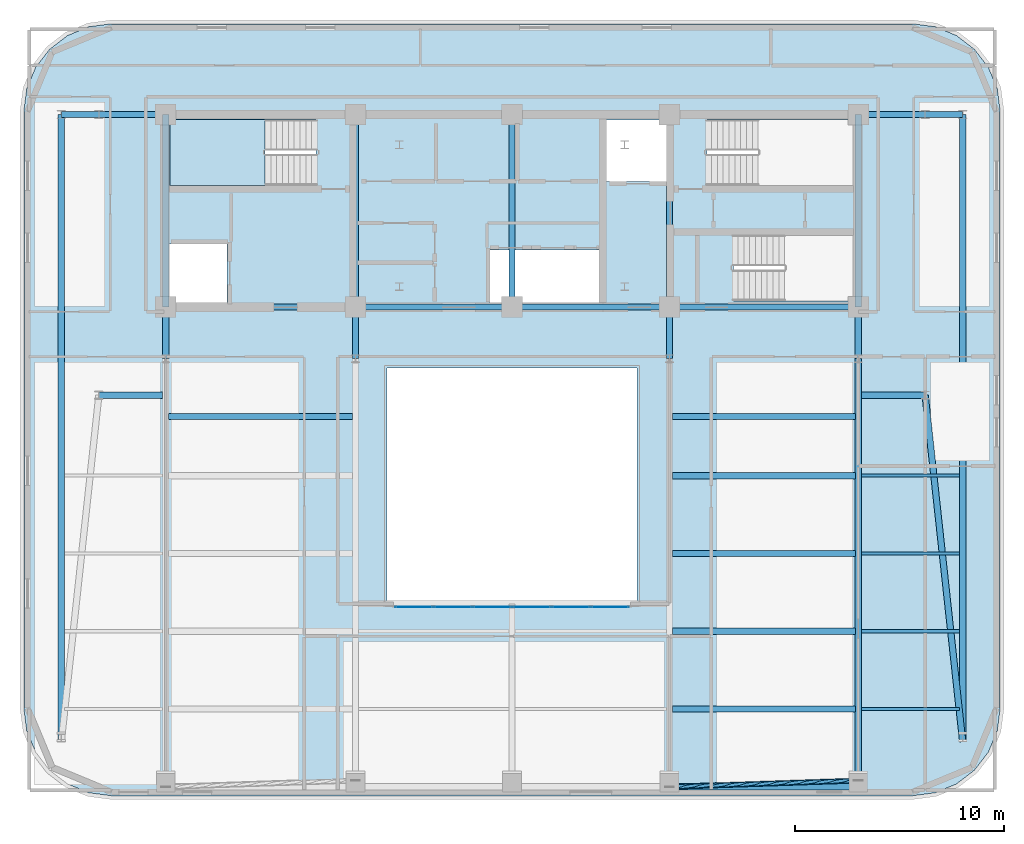
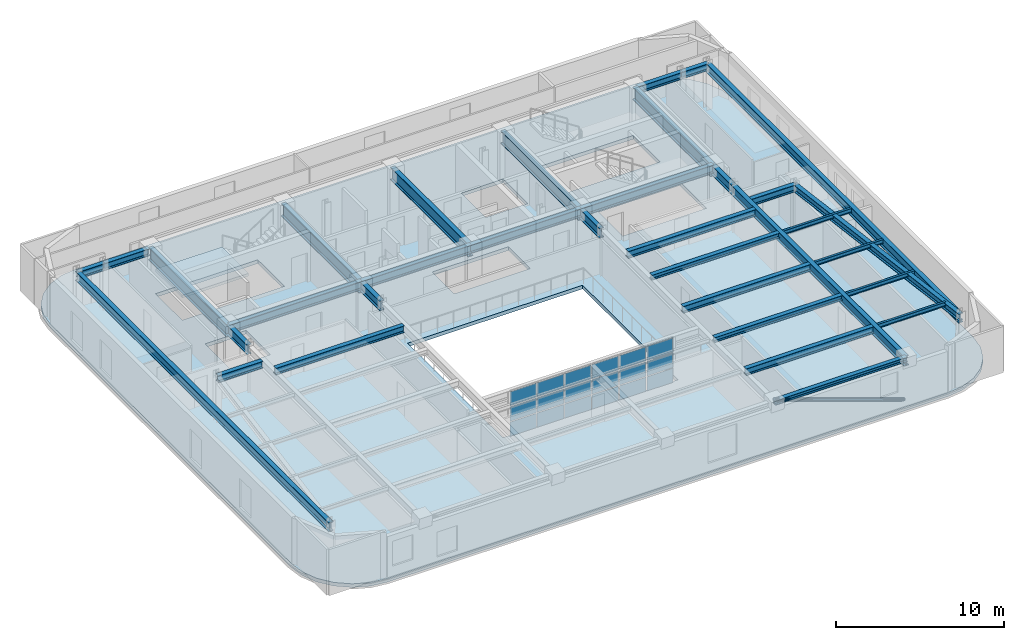
# One storey, part 3 of 13: 34 beams, 18 plates, 2 slabs, 1 member, 2 elements without a shape of their own.
"""IFC4 building model written with IfcOpenShell, lengths in metres."""

from ifc_helpers import new_model, si_unit, direction, frame, origin, origin_2d, place, context, subcontext, project, spatial, polyline, rectangle, hollow_circle, i_section, outline, extrude, material, layer, layer_set, material_profile, profile_set, type_object, element, aggregate, save


model = new_model("IFC4")

# Units and contexts
model_context = context("Model", 3, precision=1e-05, world=origin(), true_north=direction((0.0, 1.0)))
body_context = subcontext(model_context, "Body", "Model", "MODEL_VIEW")
ifc_project = project(units=[si_unit("LENGTHUNIT", "METRE"), si_unit("AREAUNIT", "SQUARE_METRE"), si_unit("VOLUMEUNIT", "CUBIC_METRE"), si_unit("PLANEANGLEUNIT", "RADIAN"), si_unit("MASSUNIT", "GRAM", prefix="KILO")], contexts=[model_context])

# Site, building, storey
site_placement = place(None, origin())
site = spatial("IfcSite", under=ifc_project, at=site_placement, CompositionType="ELEMENT")
building_placement = place(site_placement, origin())
building = spatial("IfcBuilding", under=site, at=building_placement, Name="Zarnavel Station Tower", CompositionType="ELEMENT")
storey_placement = place(building_placement, frame((0.0, 0.0, 232.800048828125)))
storey = spatial("IfcBuildingStorey", under=building, at=storey_placement, Name="L63", CompositionType="ELEMENT", Elevation=232.800048828125)

# Member
ifc_material_1 = material(Name="Steel S355J2", Category="steel")
ifc_material_profile_1 = material_profile(ifc_material_1, hollow_circle(Radius=0.122314453125, WallThickness=0.010009765625, at=origin_2d()), Name="CHS244.5x10")
ifc_profile_set_1 = profile_set([ifc_material_profile_1], Name="Steel S355J2")
member_type = type_object("IfcMemberType", Name="DB_EXT_CHS245", PredefinedType="BRACE", material=ifc_profile_set_1)
member_placement = place(storey_placement, frame((45.39990234375, 5.131591796875, 0.0), z_axis=(-0.937690212124, -0.031342348463, 0.346055953973), x_axis=(0.033406400472, -0.999441850438, 0.0)))
element("IfcMember", 1, at=member_placement, inside=storey, type_object=member_type, Name="L63 Persian Exterior Diagonal Frame Brace 2", PredefinedType="BRACE", context=body_context, shape_type="SweptSolid", body=[
    extrude(hollow_circle(Radius=0.122314453125, WallThickness=0.010009765625, at=origin_2d()), origin(), (0.0, 0.0, 1.0), 9.651123046875),
])

# Beams
ifc_material_2 = material(Name="Steel S355J2", Category="steel")
ifc_material_profile_2 = material_profile(ifc_material_2, i_section(OverallWidth=0.300048828125, OverallDepth=0.320068359375, WebThickness=0.011474609375, FlangeThickness=0.0205078125, FilletRadius=0.027099609375, at=origin_2d()), Name="HEB320")
ifc_profile_set_2 = profile_set([ifc_material_profile_2], Name="Steel S355J2")
beam_type_1 = type_object("IfcBeamType", Name="EB_HEB320", PredefinedType="SPANDREL", material=ifc_profile_set_2)
beam_1_placement = place(storey_placement, frame((36.35009765625, 4.8291015625, 3.179931640625), z_axis=(1.0, 0.0, 0.0), x_axis=(0.0, 1.0, 0.0)))
element("IfcBeam", 2, at=beam_1_placement, inside=storey, type_object=beam_type_1, Name="L63 South Raked Spandrel 4", PredefinedType="SPANDREL", context=body_context, shape_type="SweptSolid", body=[
    extrude(i_section(OverallWidth=0.300048828125, OverallDepth=0.320068359375, WebThickness=0.011474609375, FlangeThickness=0.0205078125, FilletRadius=0.027099609375, at=origin_2d()), origin(), (0.0, 0.0, 1.0), 9.0498046875),
])
ifc_material_3 = material(Name="Steel S355J2", Category="steel")
ifc_material_profile_3 = material_profile(ifc_material_3, i_section(OverallWidth=0.300048828125, OverallDepth=0.35009765625, WebThickness=0.010009765625, FlangeThickness=0.017578125, FilletRadius=0.027099609375, at=origin_2d()), Name="HEA360")
ifc_profile_set_3 = profile_set([ifc_material_profile_3], Name="Steel S355J2")
beam_type_2 = type_object("IfcBeamType", Name="FB_HEA360", PredefinedType="BEAM", material=ifc_profile_set_3)
for number, where, z_axis, x_axis, name in (
    (3, (36.4951171875, 12.285888671875, 3.1650390625), (1.0, 0.0, 0.0), (0.0, 1.0, 0.0), "L63 East Bay Beam 2"),
    (4, (36.4951171875, 19.742919921875, 3.1650390625), (1.0, 0.0, 0.0), (0.0, 1.0, 0.0), "L63 East Bay Beam 4"),
):
    element("IfcBeam", number, at=place(storey_placement, frame(where, z_axis=z_axis, x_axis=x_axis)), inside=storey, type_object=beam_type_2, Name=name, PredefinedType="BEAM", context=body_context, shape_type="SweptSolid", body=[
        extrude(i_section(OverallWidth=0.300048828125, OverallDepth=0.35009765625, WebThickness=0.010009765625, FlangeThickness=0.017578125, FilletRadius=0.027099609375, at=origin_2d()), origin(), (0.0, 0.0, 1.0), 8.759765625),
    ])
ifc_material_4 = material(Name="Steel S355J2", Category="steel")
ifc_material_profile_4 = material_profile(ifc_material_4, i_section(OverallWidth=0.300048828125, OverallDepth=0.489990234375, WebThickness=0.011962890625, FlangeThickness=0.02294921875, FilletRadius=0.027099609375, at=origin_2d()), Name="HEA500")
ifc_profile_set_4 = profile_set([ifc_material_profile_4], Name="Steel S355J2")
beam_type_3 = type_object("IfcBeamType", Name="FB_HEA500", PredefinedType="BEAM", material=ifc_profile_set_4)
for number, where, z_axis, x_axis, name in (
    (5, (36.4951171875, 8.5576171875, 3.094970703125), (1.0, 0.0, 0.0), (0.0, 1.0, 0.0), "L63 East Bay Beam 1"),
    (6, (36.4951171875, 16.014404296875, 3.094970703125), (1.0, 0.0, 0.0), (0.0, 1.0, 0.0), "L63 East Bay Beam 3"),
):
    element("IfcBeam", number, at=place(storey_placement, frame(where, z_axis=z_axis, x_axis=x_axis)), inside=storey, type_object=beam_type_3, Name=name, PredefinedType="BEAM", context=body_context, shape_type="SweptSolid", body=[
        extrude(i_section(OverallWidth=0.300048828125, OverallDepth=0.489990234375, WebThickness=0.011962890625, FlangeThickness=0.02294921875, FilletRadius=0.027099609375, at=origin_2d()), origin(), (0.0, 0.0, 1.0), 8.759765625),
    ])
beam_2_placement = place(storey_placement, frame((12.344970703125, 22.571533203125, 3.094970703125), z_axis=(1.0, 0.0, 0.0), x_axis=(0.0, 1.0, 0.0)))
element("IfcBeam", 7, at=beam_2_placement, inside=storey, type_object=beam_type_3, Name="L63 West Bay Beam 5", PredefinedType="BEAM", context=body_context, shape_type="SweptSolid", body=[
    extrude(i_section(OverallWidth=0.300048828125, OverallDepth=0.489990234375, WebThickness=0.011962890625, FlangeThickness=0.02294921875, FilletRadius=0.027099609375, at=origin_2d()), origin(), (0.0, 0.0, 1.0), 8.81005859375),
])
beam_3_placement = place(storey_placement, frame((36.4951171875, 22.571533203125, 3.094970703125), z_axis=(1.0, 0.0, 0.0), x_axis=(0.0, 1.0, 0.0)))
element("IfcBeam", 8, at=beam_3_placement, inside=storey, type_object=beam_type_3, Name="L63 East Bay Beam 5", PredefinedType="BEAM", context=body_context, shape_type="SweptSolid", body=[
    extrude(i_section(OverallWidth=0.300048828125, OverallDepth=0.489990234375, WebThickness=0.011962890625, FlangeThickness=0.02294921875, FilletRadius=0.027099609375, at=origin_2d()), origin(), (0.0, 0.0, 1.0), 8.759765625),
])
ifc_material_5 = material(Name="Steel S355J2", Category="steel")
ifc_material_profile_5 = material_profile(ifc_material_5, i_section(OverallWidth=0.300048828125, OverallDepth=0.5, WebThickness=0.014404296875, FlangeThickness=0.028076171875, FilletRadius=0.027099609375, at=origin_2d()), Name="HEB500")
ifc_profile_set_5 = profile_set([ifc_material_profile_5], Name="Steel S355J2")
beam_type_4 = type_object("IfcBeamType", Name="FG_HEB500", PredefinedType="USERDEFINED", material=ifc_profile_set_5)
beam_4_placement = place(storey_placement, frame((7.199951171875, 37.050048828125, 3.08984375), z_axis=(1.0, 0.0, 0.0), x_axis=(0.0, 1.0, 0.0)))
element("IfcBeam", 9, at=beam_4_placement, inside=storey, type_object=beam_type_4, Name="L63 West Wing North Tie 1", ObjectType="GIRDER", PredefinedType="USERDEFINED", context=body_context, shape_type="SweptSolid", body=[
    extrude(i_section(OverallWidth=0.300048828125, OverallDepth=0.5, WebThickness=0.014404296875, FlangeThickness=0.028076171875, FilletRadius=0.027099609375, at=origin_2d()), origin(), (0.0, 0.0, 1.0), 1.800048828125),
])
for number, where, z_axis, x_axis, name in (
    (10, (9.0, 23.60009765625, 3.08984375), (1.0, 0.0, 0.0), (0.0, 1.0, 0.0), "L63 West Wing South Tie 2"),
    (11, (9.0, 37.050048828125, 3.08984375), (1.0, 0.0, 0.0), (0.0, 1.0, 0.0), "L63 West Wing North Tie 2"),
):
    element("IfcBeam", number, at=place(storey_placement, frame(where, z_axis=z_axis, x_axis=x_axis)), inside=storey, type_object=beam_type_4, Name=name, ObjectType="GIRDER", PredefinedType="USERDEFINED", context=body_context, shape_type="SweptSolid", body=[
        extrude(i_section(OverallWidth=0.300048828125, OverallDepth=0.5, WebThickness=0.014404296875, FlangeThickness=0.028076171875, FilletRadius=0.027099609375, at=origin_2d()), origin(), (0.0, 0.0, 1.0), 3.054931640625),
    ])
for number, where, z_axis, x_axis, name in (
    (12, (45.544921875, 23.60009765625, 3.08984375), (1.0, 0.0, 0.0), (0.0, 1.0, 0.0), "L63 East Wing South Tie 1"),
    (13, (45.544921875, 37.050048828125, 3.08984375), (1.0, 0.0, 0.0), (0.0, 1.0, 0.0), "L63 East Wing North Tie 1"),
):
    element("IfcBeam", number, at=place(storey_placement, frame(where, z_axis=z_axis, x_axis=x_axis)), inside=storey, type_object=beam_type_4, Name=name, ObjectType="GIRDER", PredefinedType="USERDEFINED", context=body_context, shape_type="SweptSolid", body=[
        extrude(i_section(OverallWidth=0.300048828125, OverallDepth=0.5, WebThickness=0.014404296875, FlangeThickness=0.028076171875, FilletRadius=0.027099609375, at=origin_2d()), origin(), (0.0, 0.0, 1.0), 3.05517578125),
    ])
beam_5_placement = place(storey_placement, frame((48.60009765625, 23.60009765625, 3.08984375), z_axis=(0.107775538778, -0.994175252781, 0.0), x_axis=(0.994175252781, 0.107775538778, 0.0)))
element("IfcBeam", 14, at=beam_5_placement, inside=storey, type_object=beam_type_4, Name="L63 East Wing South Tie 2", ObjectType="GIRDER", PredefinedType="USERDEFINED", context=body_context, shape_type="SweptSolid", body=[
    extrude(i_section(OverallWidth=0.300048828125, OverallDepth=0.5, WebThickness=0.014404296875, FlangeThickness=0.028076171875, FilletRadius=0.027099609375, at=origin_2d()), origin(), (0.0, 0.0, 1.0), 16.699462890625),
])
beam_6_placement = place(storey_placement, frame((48.60009765625, 37.050048828125, 3.08984375), z_axis=(1.0, 0.0, 0.0), x_axis=(0.0, 1.0, 0.0)))
element("IfcBeam", 15, at=beam_6_placement, inside=storey, type_object=beam_type_4, Name="L63 East Wing North Tie 2", ObjectType="GIRDER", PredefinedType="USERDEFINED", context=body_context, shape_type="SweptSolid", body=[
    extrude(i_section(OverallWidth=0.300048828125, OverallDepth=0.5, WebThickness=0.014404296875, FlangeThickness=0.028076171875, FilletRadius=0.027099609375, at=origin_2d()), origin(), (0.0, 0.0, 1.0), 1.7998046875),
])
ifc_material_6 = material(Name="Steel S355J2", Category="steel")
ifc_material_profile_6 = material_profile(ifc_material_6, i_section(OverallWidth=0.300048828125, OverallDepth=0.60009765625, WebThickness=0.015380859375, FlangeThickness=0.030029296875, FilletRadius=0.027099609375, at=origin_2d()), Name="HEB600")
ifc_profile_set_6 = profile_set([ifc_material_profile_6], Name="Steel S355J2")
beam_type_5 = type_object("IfcBeamType", Name="FG_HEB600", PredefinedType="USERDEFINED", material=ifc_profile_set_6)
beam_7_placement = place(storey_placement, frame((12.199951171875, 27.820068359375, 3.0400390625), z_axis=(1.0, 0.0, 0.0), x_axis=(0.0, 1.0, 0.0)))
element("IfcBeam", 16, at=beam_7_placement, inside=storey, type_object=beam_type_5, Name="L63 Core Front Coupling Beam 1", ObjectType="GIRDER", PredefinedType="USERDEFINED", context=body_context, shape_type="SweptSolid", body=[
    extrude(i_section(OverallWidth=0.300048828125, OverallDepth=0.60009765625, WebThickness=0.015380859375, FlangeThickness=0.030029296875, FilletRadius=0.027099609375, at=origin_2d()), origin(), (0.0, 0.0, 1.0), 9.10009765625),
])
beam_8_placement = place(storey_placement, frame((21.300048828125, 27.820068359375, 3.0400390625), z_axis=(1.0, 0.0, 0.0), x_axis=(0.0, 1.0, 0.0)))
element("IfcBeam", 17, at=beam_8_placement, inside=storey, type_object=beam_type_5, Name="L63 Core Front Coupling Beam 2", ObjectType="GIRDER", PredefinedType="USERDEFINED", context=body_context, shape_type="SweptSolid", body=[
    extrude(i_section(OverallWidth=0.300048828125, OverallDepth=0.60009765625, WebThickness=0.015380859375, FlangeThickness=0.030029296875, FilletRadius=0.027099609375, at=origin_2d()), origin(), (0.0, 0.0, 1.0), 7.5),
])
beam_9_placement = place(storey_placement, frame((28.800048828125, 27.820068359375, 3.0400390625), z_axis=(1.0, 0.0, 0.0), x_axis=(0.0, 1.0, 0.0)))
element("IfcBeam", 18, at=beam_9_placement, inside=storey, type_object=beam_type_5, Name="L63 Core Front Coupling Beam 3", ObjectType="GIRDER", PredefinedType="USERDEFINED", context=body_context, shape_type="SweptSolid", body=[
    extrude(i_section(OverallWidth=0.300048828125, OverallDepth=0.60009765625, WebThickness=0.015380859375, FlangeThickness=0.030029296875, FilletRadius=0.027099609375, at=origin_2d()), origin(), (0.0, 0.0, 1.0), 7.550048828125),
])
beam_10_placement = place(storey_placement, frame((36.35009765625, 27.820068359375, 3.0400390625), z_axis=(1.0, 0.0, 0.0), x_axis=(0.0, 1.0, 0.0)))
element("IfcBeam", 19, at=beam_10_placement, inside=storey, type_object=beam_type_5, Name="L63 Core Front Coupling Beam 4", ObjectType="GIRDER", PredefinedType="USERDEFINED", context=body_context, shape_type="SweptSolid", body=[
    extrude(i_section(OverallWidth=0.300048828125, OverallDepth=0.60009765625, WebThickness=0.015380859375, FlangeThickness=0.030029296875, FilletRadius=0.027099609375, at=origin_2d()), origin(), (0.0, 0.0, 1.0), 9.0498046875),
])
ifc_material_7 = material(Name="Steel S355J2", Category="steel")
ifc_material_profile_7 = material_profile(ifc_material_7, i_section(OverallWidth=0.300048828125, OverallDepth=0.64990234375, WebThickness=0.01611328125, FlangeThickness=0.031005859375, FilletRadius=0.027099609375, at=origin_2d()), Name="HEB650")
ifc_profile_set_7 = profile_set([ifc_material_profile_7], Name="Steel S355J2")
beam_type_6 = type_object("IfcBeamType", Name="FG_HEB650", PredefinedType="USERDEFINED", material=ifc_profile_set_7)
for number, where, z_axis, x_axis, name in (
    (20, (7.199951171875, 6.997802734375, 3.014892578125), (0.0, 1.0, 0.0), (-1.0, 0.0, 0.0), "L63 Wing NS Girder 1"),
    (21, (50.39990234375, 6.997802734375, 3.014892578125), (0.0, 1.0, 0.0), (-1.0, 0.0, 0.0), "L63 Wing NS Girder 2"),
):
    element("IfcBeam", number, at=place(storey_placement, frame(where, z_axis=z_axis, x_axis=x_axis)), inside=storey, type_object=beam_type_6, Name=name, ObjectType="GIRDER", PredefinedType="USERDEFINED", context=body_context, shape_type="SweptSolid", body=[
        extrude(i_section(OverallWidth=0.300048828125, OverallDepth=0.64990234375, WebThickness=0.01611328125, FlangeThickness=0.031005859375, FilletRadius=0.027099609375, at=origin_2d()), origin(), (0.0, 0.0, 1.0), 30.05224609375),
    ])
ifc_material_8 = material(Name="Steel S355J2", Category="steel")
ifc_material_profile_8 = material_profile(ifc_material_8, i_section(OverallWidth=0.300048828125, OverallDepth=0.699951171875, WebThickness=0.01708984375, FlangeThickness=0.031982421875, FilletRadius=0.027099609375, at=origin_2d()), Name="HEB700")
ifc_profile_set_8 = profile_set([ifc_material_profile_8], Name="Steel S355J2")
beam_type_7 = type_object("IfcBeamType", Name="FG_HEB700", PredefinedType="USERDEFINED", material=ifc_profile_set_8)
for number, where, z_axis, x_axis, name in (
    (22, (12.199951171875, 25.35009765625, 2.989990234375), (0.0, 1.0, 0.0), (-1.0, 0.0, 0.0), "L63 Inner-Zone NS Girder 1"),
    (23, (21.300048828125, 25.35009765625, 2.989990234375), (0.0, 1.0, 0.0), (-1.0, 0.0, 0.0), "L63 Inner-Zone NS Girder 2"),
    (24, (36.35009765625, 25.35009765625, 2.989990234375), (0.0, 1.0, 0.0), (-1.0, 0.0, 0.0), "L63 Inner-Zone NS Girder 4"),
):
    element("IfcBeam", number, at=place(storey_placement, frame(where, z_axis=z_axis, x_axis=x_axis)), inside=storey, type_object=beam_type_7, Name=name, ObjectType="GIRDER", PredefinedType="USERDEFINED", context=body_context, shape_type="SweptSolid", body=[
        extrude(i_section(OverallWidth=0.300048828125, OverallDepth=0.699951171875, WebThickness=0.01708984375, FlangeThickness=0.031982421875, FilletRadius=0.027099609375, at=origin_2d()), origin(), (0.0, 0.0, 1.0), 2.469970703125),
    ])
beam_11_placement = place(storey_placement, frame((45.39990234375, 4.8291015625, 2.989990234375), z_axis=(0.0, 1.0, 0.0), x_axis=(-1.0, 0.0, 0.0)))
element("IfcBeam", 25, at=beam_11_placement, inside=storey, type_object=beam_type_7, Name="L63 South-Zone NS Girder 5", ObjectType="GIRDER", PredefinedType="USERDEFINED", context=body_context, shape_type="SweptSolid", body=[
    extrude(i_section(OverallWidth=0.300048828125, OverallDepth=0.699951171875, WebThickness=0.01708984375, FlangeThickness=0.031982421875, FilletRadius=0.027099609375, at=origin_2d()), origin(), (0.0, 0.0, 1.0), 20.52099609375),
])
beam_12_placement = place(storey_placement, frame((45.39990234375, 25.35009765625, 2.989990234375), z_axis=(0.0, 1.0, 0.0), x_axis=(-1.0, 0.0, 0.0)))
element("IfcBeam", 26, at=beam_12_placement, inside=storey, type_object=beam_type_7, Name="L63 Inner-Zone NS Girder 5", ObjectType="GIRDER", PredefinedType="USERDEFINED", context=body_context, shape_type="SweptSolid", body=[
    extrude(i_section(OverallWidth=0.300048828125, OverallDepth=0.699951171875, WebThickness=0.01708984375, FlangeThickness=0.031982421875, FilletRadius=0.027099609375, at=origin_2d()), origin(), (0.0, 0.0, 1.0), 2.469970703125),
])
ifc_material_9 = material(Name="Steel S355J2", Category="steel")
ifc_material_profile_9 = material_profile(ifc_material_9, i_section(OverallWidth=0.14990234375, OverallDepth=0.300048828125, WebThickness=0.007080078125, FlangeThickness=0.0107421875, FilletRadius=0.014892578125, at=origin_2d()), Name="IPE300")
ifc_profile_set_9 = profile_set([ifc_material_profile_9], Name="Steel S355J2")
beam_type_8 = type_object("IfcBeamType", Name="FJ_IPE300", PredefinedType="JOIST", material=ifc_profile_set_9)
for number, where, z_axis, x_axis, name in (
    (27, (45.544921875, 8.5576171875, 3.18994140625), (1.0, 0.0, 0.0), (0.0, 1.0, 0.0), "L63 East Wing Joist 1"),
    (28, (45.544921875, 12.285888671875, 3.18994140625), (1.0, 0.0, 0.0), (0.0, 1.0, 0.0), "L63 East Wing Joist 2"),
    (29, (45.544921875, 16.014404296875, 3.18994140625), (1.0, 0.0, 0.0), (0.0, 1.0, 0.0), "L63 East Wing Joist 3"),
    (30, (45.544921875, 19.742919921875, 3.18994140625), (1.0, 0.0, 0.0), (0.0, 1.0, 0.0), "L63 East Wing Joist 4"),
):
    element("IfcBeam", number, at=place(storey_placement, frame(where, z_axis=z_axis, x_axis=x_axis)), inside=storey, type_object=beam_type_8, Name=name, PredefinedType="JOIST", context=body_context, shape_type="SweptSolid", body=[
        extrude(i_section(OverallWidth=0.14990234375, OverallDepth=0.300048828125, WebThickness=0.007080078125, FlangeThickness=0.0107421875, FilletRadius=0.014892578125, at=origin_2d()), origin(), (0.0, 0.0, 1.0), 4.7099609375),
    ])
ifc_material_10 = material(Name="Steel S460M", Category="steel")
ifc_material_profile_10 = material_profile(ifc_material_10, i_section(OverallWidth=0.302001953125, OverallDepth=0.909912109375, WebThickness=0.02099609375, FlangeThickness=0.0400390625, FilletRadius=0.030029296875, at=origin_2d()), Name="HEM900")
ifc_profile_set_10 = profile_set([ifc_material_profile_10], Name="Steel S460M")
beam_type_9 = type_object("IfcBeamType", Name="TG_HEM900", PredefinedType="USERDEFINED", material=ifc_profile_set_10)
for number, where, z_axis, x_axis, name in (
    (31, (12.199951171875, 27.820068359375, 2.885009765625), (0.0, 1.0, 0.0), (-1.0, 0.0, 0.0), "L63 Core Spine Coupling Girder 1"),
    (32, (21.300048828125, 27.820068359375, 2.885009765625), (0.0, 1.0, 0.0), (-1.0, 0.0, 0.0), "L63 Core Spine Coupling Girder 2"),
    (33, (28.800048828125, 27.820068359375, 2.885009765625), (0.0, 1.0, 0.0), (-1.0, 0.0, 0.0), "L63 Core Spine Coupling Girder 3"),
    (34, (36.35009765625, 27.820068359375, 2.885009765625), (0.0, 1.0, 0.0), (-1.0, 0.0, 0.0), "L63 Core Spine Coupling Girder 4"),
    (35, (45.39990234375, 27.820068359375, 2.885009765625), (0.0, 1.0, 0.0), (-1.0, 0.0, 0.0), "L63 Core Spine Coupling Girder 5"),
):
    element("IfcBeam", number, at=place(storey_placement, frame(where, z_axis=z_axis, x_axis=x_axis)), inside=storey, type_object=beam_type_9, Name=name, ObjectType="GIRDER", PredefinedType="USERDEFINED", context=body_context, shape_type="SweptSolid", body=[
        extrude(i_section(OverallWidth=0.302001953125, OverallDepth=0.909912109375, WebThickness=0.02099609375, FlangeThickness=0.0400390625, FilletRadius=0.030029296875, at=origin_2d()), origin(), (0.0, 0.0, 1.0), 9.22998046875),
    ])

# Curtain wall, plates
ifc_material_11 = material(Name="Aluminium Dark Anodised and Solar-Control Glass", Category="aluminium")
ifc_layer_1 = layer(ifc_material_11, 0.179931640625)
ifc_layer_set_1 = layer_set([ifc_layer_1], Name="CWS5")
curtain_wall_type = type_object("IfcCurtainWallType", Name="CWS5", PredefinedType="NOTDEFINED", material=ifc_layer_set_1)
curtain_wall_placement = place(storey_placement, origin())
curtain_wall = element("IfcCurtainWall", 36, at=curtain_wall_placement, inside=storey, type_object=curtain_wall_type, Name="L63 Curtain Wall CWS5-L63-AS", PredefinedType="NOTDEFINED")
ifc_material_12 = material(Name="Double Low-E Dark Solar-Control Glass", Category="glass")
ifc_layer_2 = layer(ifc_material_12, 0.033935546875)
ifc_layer_set_2 = layer_set([ifc_layer_2], Name="CWS5_PNL")
plate_type = type_object("IfcPlateType", Name="CWS5_PNL", PredefinedType="CURTAIN_PANEL", material=ifc_layer_set_2)
plate_1_placement = place(storey_placement, frame((24.106689453125, 13.449951171875, 0.06005859375), z_axis=(0.0, 0.0, 1.0), x_axis=(1.0, 0.0, 0.0)))
plate_1 = element("IfcPlate", 37, at=plate_1_placement, type_object=plate_type, Name="CW5 panel 1.1", PredefinedType="CURTAIN_PANEL", context=body_context, shape_type="SweptSolid", body=[
    extrude(rectangle(XDim=1.793212890625, YDim=0.028076171875, at=origin_2d()), origin(), (0.0, 0.0, 1.0), 1.023193359375),
])
plate_2_placement = place(storey_placement, frame((24.106689453125, 13.449951171875, 1.14306640625), z_axis=(0.0, 0.0, 1.0), x_axis=(1.0, 0.0, 0.0)))
plate_2 = element("IfcPlate", 38, at=plate_2_placement, type_object=plate_type, Name="CW5 panel 1.2", PredefinedType="CURTAIN_PANEL", context=body_context, shape_type="SweptSolid", body=[
    extrude(rectangle(XDim=1.793212890625, YDim=0.028076171875, at=origin_2d()), origin(), (0.0, 0.0, 1.0), 1.053466796875),
])
plate_3_placement = place(storey_placement, frame((24.106689453125, 13.449951171875, 2.2568359375), z_axis=(0.0, 0.0, 1.0), x_axis=(1.0, 0.0, 0.0)))
plate_3 = element("IfcPlate", 39, at=plate_3_placement, type_object=plate_type, Name="CW5 panel 1.3", PredefinedType="CURTAIN_PANEL", context=body_context, shape_type="SweptSolid", body=[
    extrude(rectangle(XDim=1.793212890625, YDim=0.028076171875, at=origin_2d()), origin(), (0.0, 0.0, 1.0), 1.023193359375),
])
plate_4_placement = place(storey_placement, frame((25.97509765625, 13.449951171875, 0.06005859375), z_axis=(0.0, 0.0, 1.0), x_axis=(1.0, 0.0, 0.0)))
plate_4 = element("IfcPlate", 40, at=plate_4_placement, type_object=plate_type, Name="CW5 panel 2.1", PredefinedType="CURTAIN_PANEL", context=body_context, shape_type="SweptSolid", body=[
    extrude(rectangle(XDim=1.8232421875, YDim=0.028076171875, at=origin_2d()), origin(), (0.0, 0.0, 1.0), 1.023193359375),
])
plate_5_placement = place(storey_placement, frame((25.97509765625, 13.449951171875, 1.14306640625), z_axis=(0.0, 0.0, 1.0), x_axis=(1.0, 0.0, 0.0)))
plate_5 = element("IfcPlate", 41, at=plate_5_placement, type_object=plate_type, Name="CW5 panel 2.2", PredefinedType="CURTAIN_PANEL", context=body_context, shape_type="SweptSolid", body=[
    extrude(rectangle(XDim=1.8232421875, YDim=0.028076171875, at=origin_2d()), origin(), (0.0, 0.0, 1.0), 1.053466796875),
])
plate_6_placement = place(storey_placement, frame((25.97509765625, 13.449951171875, 2.2568359375), z_axis=(0.0, 0.0, 1.0), x_axis=(1.0, 0.0, 0.0)))
plate_6 = element("IfcPlate", 42, at=plate_6_placement, type_object=plate_type, Name="CW5 panel 2.3", PredefinedType="CURTAIN_PANEL", context=body_context, shape_type="SweptSolid", body=[
    extrude(rectangle(XDim=1.8232421875, YDim=0.028076171875, at=origin_2d()), origin(), (0.0, 0.0, 1.0), 1.023193359375),
])
plate_7_placement = place(storey_placement, frame((27.8583984375, 13.449951171875, 0.06005859375), z_axis=(0.0, 0.0, 1.0), x_axis=(1.0, 0.0, 0.0)))
plate_7 = element("IfcPlate", 43, at=plate_7_placement, type_object=plate_type, Name="CW5 panel 3.1", PredefinedType="CURTAIN_PANEL", context=body_context, shape_type="SweptSolid", body=[
    extrude(rectangle(XDim=1.8232421875, YDim=0.028076171875, at=origin_2d()), origin(), (0.0, 0.0, 1.0), 1.023193359375),
])
plate_8_placement = place(storey_placement, frame((27.8583984375, 13.449951171875, 1.14306640625), z_axis=(0.0, 0.0, 1.0), x_axis=(1.0, 0.0, 0.0)))
plate_8 = element("IfcPlate", 44, at=plate_8_placement, type_object=plate_type, Name="CW5 panel 3.2", PredefinedType="CURTAIN_PANEL", context=body_context, shape_type="SweptSolid", body=[
    extrude(rectangle(XDim=1.8232421875, YDim=0.028076171875, at=origin_2d()), origin(), (0.0, 0.0, 1.0), 1.053466796875),
])
plate_9_placement = place(storey_placement, frame((27.8583984375, 13.449951171875, 2.2568359375), z_axis=(0.0, 0.0, 1.0), x_axis=(1.0, 0.0, 0.0)))
plate_9 = element("IfcPlate", 45, at=plate_9_placement, type_object=plate_type, Name="CW5 panel 3.3", PredefinedType="CURTAIN_PANEL", context=body_context, shape_type="SweptSolid", body=[
    extrude(rectangle(XDim=1.8232421875, YDim=0.028076171875, at=origin_2d()), origin(), (0.0, 0.0, 1.0), 1.023193359375),
])
plate_10_placement = place(storey_placement, frame((29.74169921875, 13.449951171875, 0.06005859375), z_axis=(0.0, 0.0, 1.0), x_axis=(1.0, 0.0, 0.0)))
plate_10 = element("IfcPlate", 46, at=plate_10_placement, type_object=plate_type, Name="CW5 panel 4.1", PredefinedType="CURTAIN_PANEL", context=body_context, shape_type="SweptSolid", body=[
    extrude(rectangle(XDim=1.8232421875, YDim=0.028076171875, at=origin_2d()), origin(), (0.0, 0.0, 1.0), 1.023193359375),
])
plate_11_placement = place(storey_placement, frame((29.74169921875, 13.449951171875, 1.14306640625), z_axis=(0.0, 0.0, 1.0), x_axis=(1.0, 0.0, 0.0)))
plate_11 = element("IfcPlate", 47, at=plate_11_placement, type_object=plate_type, Name="CW5 panel 4.2", PredefinedType="CURTAIN_PANEL", context=body_context, shape_type="SweptSolid", body=[
    extrude(rectangle(XDim=1.8232421875, YDim=0.028076171875, at=origin_2d()), origin(), (0.0, 0.0, 1.0), 1.053466796875),
])
plate_12_placement = place(storey_placement, frame((29.74169921875, 13.449951171875, 2.2568359375), z_axis=(0.0, 0.0, 1.0), x_axis=(1.0, 0.0, 0.0)))
plate_12 = element("IfcPlate", 48, at=plate_12_placement, type_object=plate_type, Name="CW5 panel 4.3", PredefinedType="CURTAIN_PANEL", context=body_context, shape_type="SweptSolid", body=[
    extrude(rectangle(XDim=1.8232421875, YDim=0.028076171875, at=origin_2d()), origin(), (0.0, 0.0, 1.0), 1.023193359375),
])
plate_13_placement = place(storey_placement, frame((31.625, 13.449951171875, 0.06005859375), z_axis=(0.0, 0.0, 1.0), x_axis=(1.0, 0.0, 0.0)))
plate_13 = element("IfcPlate", 49, at=plate_13_placement, type_object=plate_type, Name="CW5 panel 5.1", PredefinedType="CURTAIN_PANEL", context=body_context, shape_type="SweptSolid", body=[
    extrude(rectangle(XDim=1.8232421875, YDim=0.028076171875, at=origin_2d()), origin(), (0.0, 0.0, 1.0), 1.023193359375),
])
plate_14_placement = place(storey_placement, frame((31.625, 13.449951171875, 1.14306640625), z_axis=(0.0, 0.0, 1.0), x_axis=(1.0, 0.0, 0.0)))
plate_14 = element("IfcPlate", 50, at=plate_14_placement, type_object=plate_type, Name="CW5 panel 5.2", PredefinedType="CURTAIN_PANEL", context=body_context, shape_type="SweptSolid", body=[
    extrude(rectangle(XDim=1.8232421875, YDim=0.028076171875, at=origin_2d()), origin(), (0.0, 0.0, 1.0), 1.053466796875),
])
plate_15_placement = place(storey_placement, frame((31.625, 13.449951171875, 2.2568359375), z_axis=(0.0, 0.0, 1.0), x_axis=(1.0, 0.0, 0.0)))
plate_15 = element("IfcPlate", 51, at=plate_15_placement, type_object=plate_type, Name="CW5 panel 5.3", PredefinedType="CURTAIN_PANEL", context=body_context, shape_type="SweptSolid", body=[
    extrude(rectangle(XDim=1.8232421875, YDim=0.028076171875, at=origin_2d()), origin(), (0.0, 0.0, 1.0), 1.023193359375),
])
plate_16_placement = place(storey_placement, frame((33.493408203125, 13.449951171875, 0.06005859375), z_axis=(0.0, 0.0, 1.0), x_axis=(1.0, 0.0, 0.0)))
plate_16 = element("IfcPlate", 52, at=plate_16_placement, type_object=plate_type, Name="CW5 panel 6.1", PredefinedType="CURTAIN_PANEL", context=body_context, shape_type="SweptSolid", body=[
    extrude(rectangle(XDim=1.793212890625, YDim=0.028076171875, at=origin_2d()), origin(), (0.0, 0.0, 1.0), 1.023193359375),
])
plate_17_placement = place(storey_placement, frame((33.493408203125, 13.449951171875, 1.14306640625), z_axis=(0.0, 0.0, 1.0), x_axis=(1.0, 0.0, 0.0)))
plate_17 = element("IfcPlate", 53, at=plate_17_placement, type_object=plate_type, Name="CW5 panel 6.2", PredefinedType="CURTAIN_PANEL", context=body_context, shape_type="SweptSolid", body=[
    extrude(rectangle(XDim=1.793212890625, YDim=0.028076171875, at=origin_2d()), origin(), (0.0, 0.0, 1.0), 1.053466796875),
])
plate_18_placement = place(storey_placement, frame((33.493408203125, 13.449951171875, 2.2568359375), z_axis=(0.0, 0.0, 1.0), x_axis=(1.0, 0.0, 0.0)))
plate_18 = element("IfcPlate", 54, at=plate_18_placement, type_object=plate_type, Name="CW5 panel 6.3", PredefinedType="CURTAIN_PANEL", context=body_context, shape_type="SweptSolid", body=[
    extrude(rectangle(XDim=1.793212890625, YDim=0.028076171875, at=origin_2d()), origin(), (0.0, 0.0, 1.0), 1.023193359375),
])
aggregate(curtain_wall, [plate_1, plate_2, plate_3, plate_4, plate_5, plate_6, plate_7, plate_8, plate_9, plate_10, plate_11, plate_12, plate_13, plate_14, plate_15, plate_16, plate_17, plate_18])

# Slab
ifc_material_13 = material(Name="Concrete C45/55", Category="concrete")
ifc_layer_3 = layer(ifc_material_13, 0.260009765625)
ifc_layer_set_3 = layer_set([ifc_layer_3], Name="SL_FLR_260")
slab_type_1 = type_object("IfcSlabType", Name="SL_FLR_260", PredefinedType="FLOOR", material=ifc_layer_set_3)
slab_1_placement = place(storey_placement, frame((0.0, 0.0, -0.260009765625)))
element("IfcSlab", 55, at=slab_1_placement, inside=storey, type_object=slab_type_1, Name="L63 Structural Floor Slab", PredefinedType="FLOOR", context=body_context, shape_type="SweptSolid", body=[
    extrude(outline(polyline([(48.0, 4.39990234375), (49.0869140625, 4.543212890625), (50.10009765625, 4.962646484375), (50.9697265625, 5.630126953125), (51.63720703125, 6.5), (52.056884765625, 7.512939453125), (52.199951171875, 8.60009765625), (52.199951171875, 37.199951171875), (52.056884765625, 38.287109375), (51.63720703125, 39.300048828125), (50.9697265625, 40.169921875), (50.10009765625, 40.83740234375), (49.0869140625, 41.2568359375), (48.0, 41.39990234375), (9.60009765625, 41.39990234375), (8.512939453125, 41.2568359375), (7.5, 40.83740234375), (6.630126953125, 40.169921875), (5.962646484375, 39.300048828125), (5.543212890625, 38.287109375), (5.39990234375, 37.199951171875), (5.39990234375, 8.60009765625), (5.543212890625, 7.512939453125), (5.962646484375, 6.5), (6.630126953125, 5.630126953125), (7.5, 4.962646484375), (8.512939453125, 4.543212890625), (9.60009765625, 4.39990234375), (48.0, 4.39990234375)]), holes=[polyline([(12.39990234375, 33.659912109375), (19.409912109375, 33.659912109375), (19.409912109375, 36.820068359375), (12.39990234375, 36.820068359375), (12.39990234375, 33.659912109375)]), polyline([(38.14990234375, 33.659912109375), (45.159912109375, 33.659912109375), (45.159912109375, 36.820068359375), (38.14990234375, 36.820068359375), (38.14990234375, 33.659912109375)]), polyline([(39.419921875, 28.1201171875), (45.14990234375, 28.1201171875), (45.14990234375, 31.280029296875), (39.419921875, 31.280029296875), (39.419921875, 28.1201171875)]), polyline([(12.35009765625, 27.949951171875), (15.14990234375, 27.949951171875), (15.14990234375, 30.85009765625), (12.35009765625, 30.85009765625), (12.35009765625, 27.949951171875)]), polyline([(33.320068359375, 33.85009765625), (36.2099609375, 33.85009765625), (36.2099609375, 36.780029296875), (33.320068359375, 36.780029296875), (33.320068359375, 33.85009765625)]), polyline([(27.75, 27.949951171875), (32.97998046875, 27.949951171875), (32.97998046875, 30.550048828125), (27.75, 30.550048828125), (27.75, 27.949951171875)]), polyline([(22.800048828125, 13.60009765625), (34.800048828125, 13.60009765625), (34.800048828125, 24.89990234375), (22.800048828125, 24.89990234375), (22.800048828125, 13.60009765625)])]), origin(), (0.0, 0.0, 1.0), 0.260009765625),
])

# Stair, slab
ifc_material_14 = material(Name="Concrete C45/55", Category="concrete")
stair_type = type_object("IfcStairType", Name="ST_CORE_150", PredefinedType="HALF_TURN_STAIR", material=ifc_material_14)
stair_placement = place(storey_placement, origin())
stair = element("IfcStair", 56, at=stair_placement, inside=storey, type_object=stair_type, Name="L63 Core Exit Stair ST1", PredefinedType="HALF_TURN_STAIR")
ifc_material_15 = material(Name="Concrete C45/55", Category="concrete")
ifc_layer_4 = layer(ifc_material_15, 0.199951171875)
ifc_layer_set_4 = layer_set([ifc_layer_4], Name="SL_STAIR_LAND_200")
slab_type_2 = type_object("IfcSlabType", Name="SL_STAIR_LAND_200", PredefinedType="LANDING", material=ifc_layer_set_4)
slab_2_placement = place(storey_placement, frame((0.0, 0.0, 1.599853515625)))
slab_2 = element("IfcSlab", 57, at=slab_2_placement, type_object=slab_type_2, Name="ST1 landing 1", PredefinedType="LANDING", context=body_context, shape_type="SweptSolid", body=[
    extrude(outline(polyline([(16.9599609375, 36.820068359375), (12.39990234375, 36.820068359375), (12.39990234375, 33.659912109375), (16.9599609375, 33.659912109375), (16.9599609375, 36.820068359375)])), origin(), (0.0, 0.0, 1.0), 0.2001953125),
])
aggregate(stair, [slab_2])

save(model, "model.ifc")
